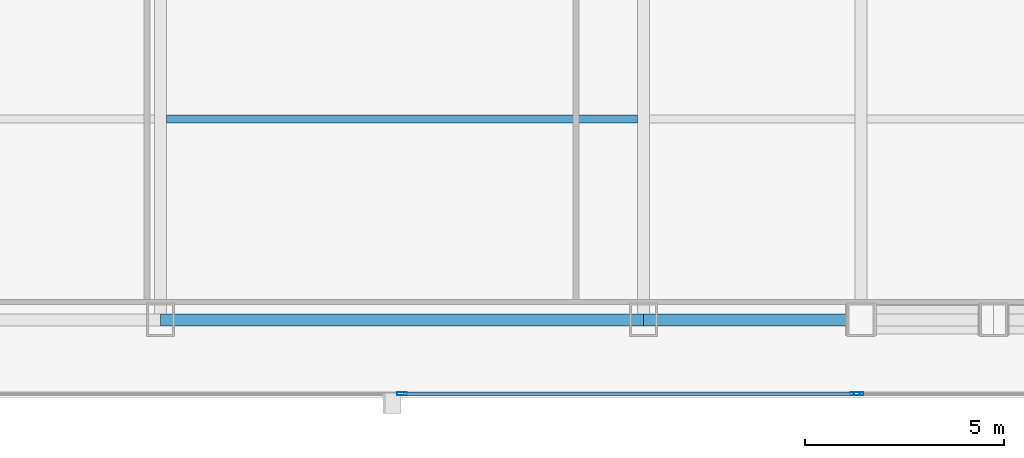
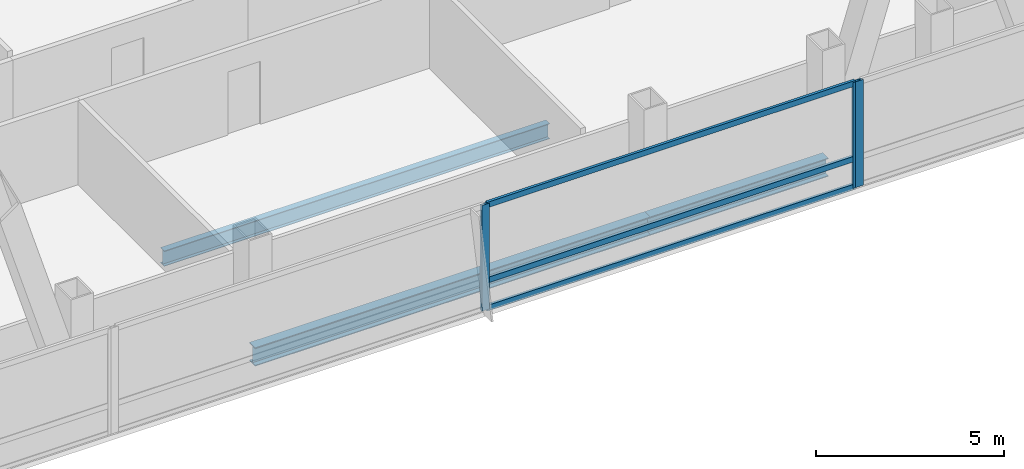
# One storey, part 13 of 30: 6 members, 3 beams, 2 elements without a shape of their own.
"""IFC4 building model written with IfcOpenShell, lengths in metres."""

from ifc_helpers import new_model, si_unit, direction, frame, origin, origin_2d, place, context, subcontext, project, spatial, hollow_rectangle, i_section, extrude, material, material_profile, profile_set, type_object, element, aggregate, save


model = new_model("IFC4")

# Units and contexts
model_context = context("Model", 3, precision=1e-05, world=origin(), true_north=direction((0.0, 1.0)))
body_context = subcontext(model_context, "Body", "Model", "MODEL_VIEW")
ifc_project = project(units=[si_unit("LENGTHUNIT", "METRE"), si_unit("AREAUNIT", "SQUARE_METRE"), si_unit("VOLUMEUNIT", "CUBIC_METRE"), si_unit("PLANEANGLEUNIT", "RADIAN"), si_unit("MASSUNIT", "GRAM", prefix="KILO")], contexts=[model_context])

# Site, building, storey
site_placement = place(None, origin())
site = spatial("IfcSite", under=ifc_project, at=site_placement, CompositionType="ELEMENT")
building_placement = place(site_placement, origin())
building = spatial("IfcBuilding", under=site, at=building_placement, Name="Khoronbel Lancet Exchange", CompositionType="ELEMENT")
storey_placement = place(building_placement, frame((0.0, 0.0, 147.0)))
storey = spatial("IfcBuildingStorey", under=building, at=storey_placement, Name="L36", CompositionType="ELEMENT", Elevation=147.0)

# Beams
ifc_material_1 = material(Name="Steel S355", Category="steel")
ifc_material_profile_1 = material_profile(ifc_material_1, i_section(OverallWidth=0.199951171875, OverallDepth=0.5, WebThickness=0.01025390625, FlangeThickness=0.01611328125, at=origin_2d()), Name="IPE 500")
ifc_profile_set_1 = profile_set([ifc_material_profile_1], Name="Steel S355")
beam_type_1 = type_object("IfcBeamType", Name="BM-BJ3", PredefinedType="JOIST", material=ifc_profile_set_1)
beam_1_placement = place(storey_placement, frame((30.52490234375, 15.199951171875, -0.409912109375), z_axis=(1.0, 0.0, 0.0), x_axis=(0.0, 1.0, 0.0)))
element("IfcBeam", 1, at=beam_1_placement, inside=storey, type_object=beam_type_1, Name="Level L36 secondary composite joist J03", PredefinedType="JOIST", context=body_context, shape_type="SweptSolid", body=[
    extrude(i_section(OverallWidth=0.199951171875, OverallDepth=0.5, WebThickness=0.01025390625, FlangeThickness=0.01611328125, at=origin_2d()), origin(), (0.0, 0.0, 1.0), 11.85009765625),
])
ifc_material_profile_2 = material_profile(ifc_material_1, i_section(OverallWidth=0.300048828125, OverallDepth=0.60009765625, WebThickness=0.015380859375, FlangeThickness=0.030029296875, at=origin_2d()), Name="HEB 600")
ifc_profile_set_2 = profile_set([ifc_material_profile_2], Name="Steel S355")
beam_type_2 = type_object("IfcBeamType", Name="BM-BSP2", PredefinedType="SPANDREL", material=ifc_profile_set_2)
beam_2_placement = place(storey_placement, frame((30.375, 10.14990234375, -0.4599609375), z_axis=(1.0, 0.0, 0.0), x_axis=(0.0, 1.0, 0.0)))
element("IfcBeam", 2, at=beam_2_placement, inside=storey, type_object=beam_type_2, Name="Level L36 perimeter spandrel beam SP05", PredefinedType="SPANDREL", context=body_context, shape_type="SweptSolid", body=[
    extrude(i_section(OverallWidth=0.300048828125, OverallDepth=0.60009765625, WebThickness=0.015380859375, FlangeThickness=0.030029296875, at=origin_2d()), origin(), (0.0, 0.0, 1.0), 12.14990234375),
])
beam_3_placement = place(storey_placement, frame((42.52490234375, 10.14990234375, -0.4599609375), z_axis=(1.0, 0.0, 0.0), x_axis=(0.0, 1.0, 0.0)))
element("IfcBeam", 3, at=beam_3_placement, inside=storey, type_object=beam_type_2, Name="Level L36 perimeter spandrel beam SP06", PredefinedType="SPANDREL", context=body_context, shape_type="SweptSolid", body=[
    extrude(i_section(OverallWidth=0.300048828125, OverallDepth=0.60009765625, WebThickness=0.015380859375, FlangeThickness=0.030029296875, at=origin_2d()), origin(), (0.0, 0.0, 1.0), 5.47509765625),
])

# Curtain wall, members
ifc_material_2 = material(Name="Low-E Solar Control Insulating Glass", Category="glass")
curtain_wall_type = type_object("IfcCurtainWallType", Name="CW-3", PredefinedType="NOTDEFINED", material=ifc_material_2)
curtain_wall_1_placement = place(storey_placement, origin())
curtain_wall_1 = element("IfcCurtainWall", 4, at=curtain_wall_1_placement, inside=storey, type_object=curtain_wall_type, Name="Unitised curtain wall CW-L36-SCV", PredefinedType="NOTDEFINED")
ifc_material_3 = material(Name="Bronze-Anodised Aluminium 6063-T6", Category="aluminium")
ifc_material_profile_3 = material_profile(ifc_material_3, hollow_rectangle(XDim=0.0849609375, YDim=0.239990234375, WallThickness=0.006103515625, at=origin_2d()), Name="ALU MULLION 85x240")
ifc_profile_set_3 = profile_set([ifc_material_profile_3], Name="Bronze-Anodised Aluminium 6063-T6")
member_type_1 = type_object("IfcMemberType", Name="MEM-CWM1", PredefinedType="MULLION", material=ifc_profile_set_3)
member_1_placement = place(storey_placement, frame((36.449951171875, 8.2900390625, 0.0), z_axis=(0.0, 0.0, 1.0), x_axis=(0.0, 1.0, 0.0)))
member_1 = element("IfcMember", 5, at=member_1_placement, type_object=member_type_1, Name="CW3 mullion 2", PredefinedType="MULLION", context=body_context, shape_type="SweptSolid", body=[
    extrude(hollow_rectangle(XDim=0.0849609375, YDim=0.239990234375, WallThickness=0.006103515625, at=origin_2d()), origin(), (0.0, 0.0, 1.0), 3.43994140625),
])
member_2_placement = place(storey_placement, frame((47.857421875, 8.2900390625, 0.0), z_axis=(0.0, 0.0, 1.0), x_axis=(0.0, 1.0, 0.0)))
member_2 = element("IfcMember", 6, at=member_2_placement, type_object=member_type_1, Name="CW3 mullion 3", PredefinedType="MULLION", context=body_context, shape_type="SweptSolid", body=[
    extrude(hollow_rectangle(XDim=0.0849609375, YDim=0.239990234375, WallThickness=0.006103515625, at=origin_2d()), origin(), (0.0, 0.0, 1.0), 3.43994140625),
])

# Curtain wall, member
curtain_wall_2_placement = place(storey_placement, origin())
curtain_wall_2 = element("IfcCurtainWall", 7, at=curtain_wall_2_placement, inside=storey, type_object=curtain_wall_type, Name="Unitised curtain wall CW-L36-SEB", PredefinedType="NOTDEFINED")
member_3_placement = place(storey_placement, frame((47.9423828125, 8.2900390625, 0.0), z_axis=(0.0, 0.0, 1.0), x_axis=(0.0, 1.0, 0.0)))
member_3 = element("IfcMember", 8, at=member_3_placement, type_object=member_type_1, Name="CW3 mullion 1", PredefinedType="MULLION", context=body_context, shape_type="SweptSolid", body=[
    extrude(hollow_rectangle(XDim=0.0849609375, YDim=0.239990234375, WallThickness=0.006103515625, at=origin_2d()), origin(), (0.0, 0.0, 1.0), 3.43994140625),
])
aggregate(curtain_wall_2, [member_3])

# Member
ifc_material_profile_4 = material_profile(ifc_material_3, hollow_rectangle(XDim=0.0849609375, YDim=0.179931640625, WallThickness=0.0048828125, at=origin_2d()), Name="ALU TRANSOM 85x180")
ifc_profile_set_4 = profile_set([ifc_material_profile_4], Name="Bronze-Anodised Aluminium 6063-T6")
member_type_2 = type_object("IfcMemberType", Name="MEM-CWT1", PredefinedType="USERDEFINED", material=ifc_profile_set_4)
member_4_placement = place(storey_placement, frame((36.492431640625, 8.2900390625, 0.04248046875), z_axis=(1.0, 0.0, 0.0), x_axis=(0.0, 1.0, 0.0)))
member_4 = element("IfcMember", 9, at=member_4_placement, type_object=member_type_2, Name="CW3 transom 2.1", ObjectType="TRANSOM", PredefinedType="USERDEFINED", context=body_context, shape_type="SweptSolid", body=[
    extrude(hollow_rectangle(XDim=0.0849609375, YDim=0.179931640625, WallThickness=0.0048828125, at=origin_2d()), origin(), (0.0, 0.0, 1.0), 11.322509765625),
])

member_5_placement = place(storey_placement, frame((36.492431640625, 8.2900390625, 0.949951171875), z_axis=(1.0, 0.0, 0.0), x_axis=(0.0, 1.0, 0.0)))
member_5 = element("IfcMember", 10, at=member_5_placement, type_object=member_type_2, Name="CW3 transom 2.2", ObjectType="TRANSOM", PredefinedType="USERDEFINED", context=body_context, shape_type="SweptSolid", body=[
    extrude(hollow_rectangle(XDim=0.0849609375, YDim=0.179931640625, WallThickness=0.0048828125, at=origin_2d()), origin(), (0.0, 0.0, 1.0), 11.322509765625),
])

member_6_placement = place(storey_placement, frame((36.492431640625, 8.2900390625, 3.3974609375), z_axis=(1.0, 0.0, 0.0), x_axis=(0.0, 1.0, 0.0)))
member_6 = element("IfcMember", 11, at=member_6_placement, type_object=member_type_2, Name="CW3 transom 2.3", ObjectType="TRANSOM", PredefinedType="USERDEFINED", context=body_context, shape_type="SweptSolid", body=[
    extrude(hollow_rectangle(XDim=0.0849609375, YDim=0.179931640625, WallThickness=0.0048828125, at=origin_2d()), origin(), (0.0, 0.0, 1.0), 11.322509765625),
])

aggregate(curtain_wall_1, [member_1, member_2, member_4, member_5, member_6])

save(model, "model.ifc")
